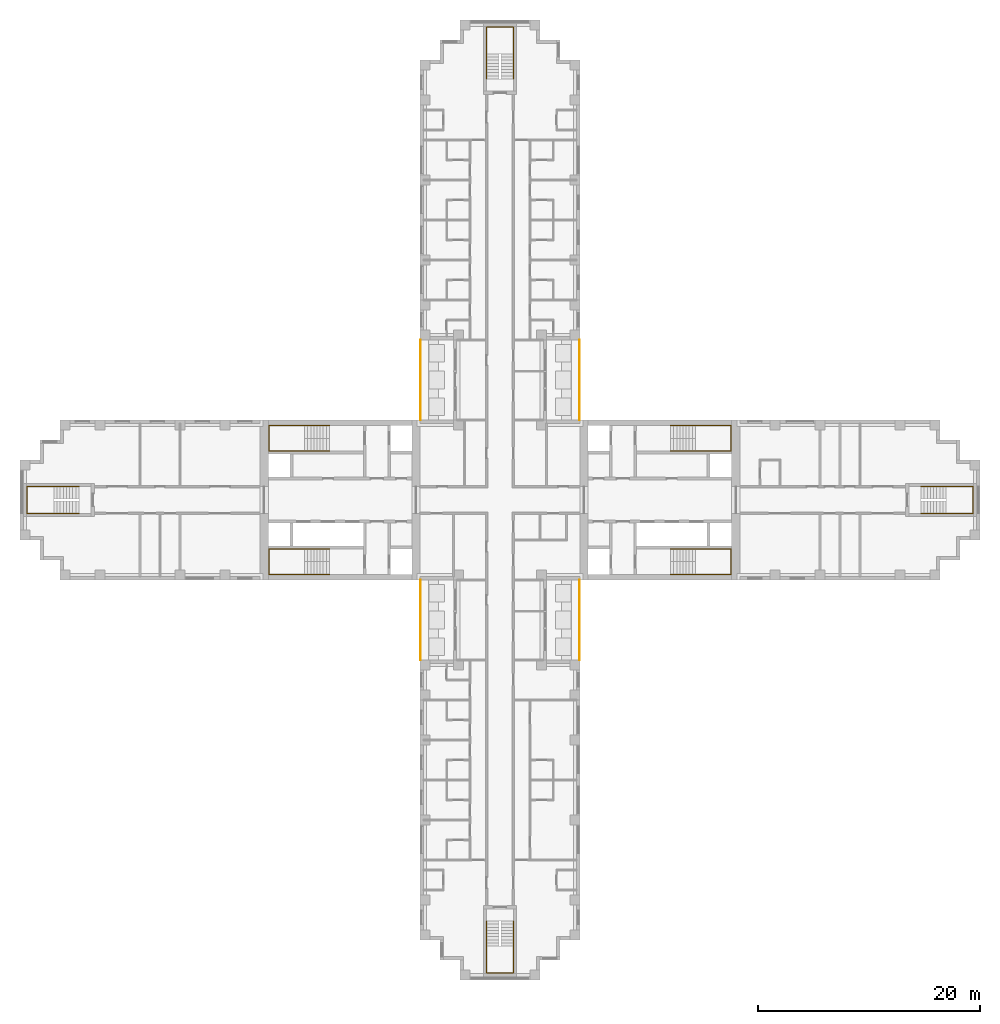
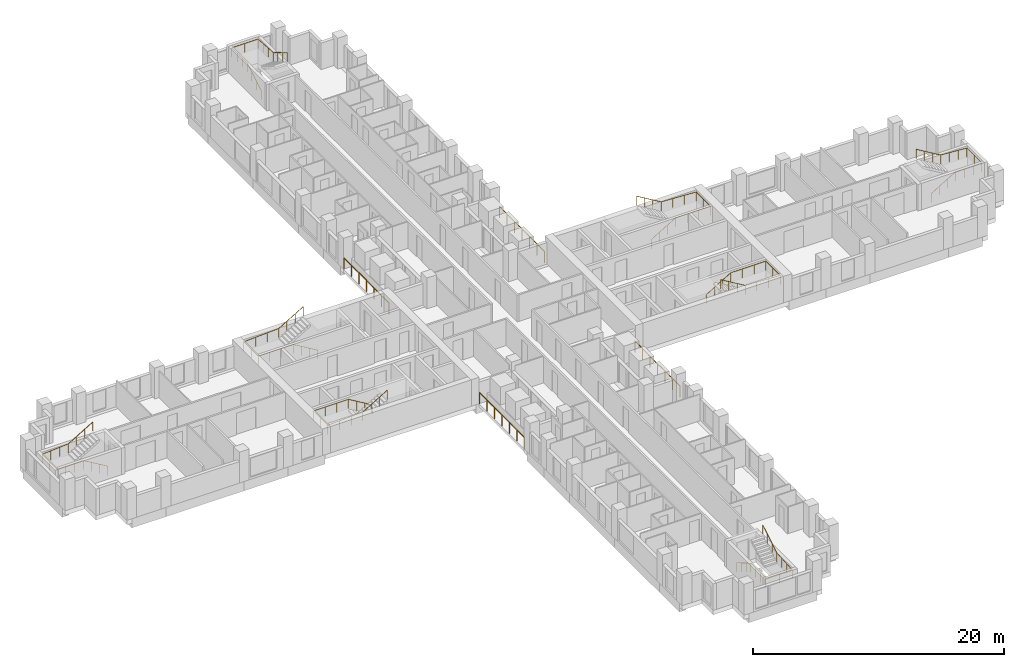
# One storey, part 14 of 15: 12 railings.
"""IFC4 building model written with IfcOpenShell, lengths in metres."""

from ifc_helpers import new_model, si_unit, direction, frame, origin, origin_2d, place, context, subcontext, project, spatial, circle, extrude, material, type_object, element, save


model = new_model("IFC4")

# Units and contexts
model_context = context("Model", 3, precision=1e-05, world=origin(), true_north=direction((0.0, 1.0)))
body_context = subcontext(model_context, "Body", "Model", "MODEL_VIEW")
ifc_project = project(units=[si_unit("LENGTHUNIT", "METRE"), si_unit("AREAUNIT", "SQUARE_METRE"), si_unit("VOLUMEUNIT", "CUBIC_METRE"), si_unit("PLANEANGLEUNIT", "RADIAN"), si_unit("MASSUNIT", "GRAM", prefix="KILO")], contexts=[model_context])

# Site, building, storey
site_placement = place(None, origin())
site = spatial("IfcSite", under=ifc_project, at=site_placement, CompositionType="ELEMENT")
building_placement = place(site_placement, origin())
building = spatial("IfcBuilding", under=site, at=building_placement, Name="Fustian Cross Tower", CompositionType="ELEMENT")
storey_placement = place(building_placement, frame((0.0, 0.0, 17.699951171875)))
storey = spatial("IfcBuildingStorey", under=building, at=storey_placement, Name="L04", CompositionType="ELEMENT", Elevation=17.699951171875)

# Railings
ifc_material_1 = material(Name="Stainless steel and glass", Category="steel")
railing_type_1 = type_object("IfcRailingType", Name="GR1 BALCONY GUARD 1100", PredefinedType="GUARDRAIL", material=ifc_material_1)
for number, where, name in (
    (1, (7.14990234375, 7.199951171875, 0.0), "Balcony guard"),
    (2, (-7.14990234375, 7.199951171875, 0.0), "Balcony guard"),
    (3, (7.14990234375, -14.39990234375, 0.0), "Balcony guard"),
    (4, (-7.14990234375, -14.39990234375, 0.0), "Balcony guard"),
):
    element("IfcRailing", number, at=place(storey_placement, frame(where)), inside=storey, type_object=railing_type_1, Name=name, PredefinedType="GUARDRAIL", context=body_context, shape_type="SweptSolid", body=[
        extrude(circle(Radius=0.02392578125, at=origin_2d()), frame((0.0, 0.0, 1.076171875), z_axis=(0.0, 1.0, 0.0), x_axis=(-1.0, 0.0, 0.0)), (0.0, 0.0, 1.0), 7.199951171875),
        extrude(circle(Radius=0.02099609375, at=origin_2d()), origin(), (0.0, 0.0, 1.0), 1.052001953125),
        extrude(circle(Radius=0.02099609375, at=origin_2d()), frame((0.0, 1.199951171875, 0.0)), (0.0, 0.0, 1.0), 1.052001953125),
        extrude(circle(Radius=0.02099609375, at=origin_2d()), frame((0.0, 2.39990234375, 0.0)), (0.0, 0.0, 1.0), 1.052001953125),
        extrude(circle(Radius=0.02099609375, at=origin_2d()), frame((0.0, 3.60009765625, 0.0)), (0.0, 0.0, 1.0), 1.052001953125),
        extrude(circle(Radius=0.02099609375, at=origin_2d()), frame((0.0, 4.800048828125, 0.0)), (0.0, 0.0, 1.0), 1.052001953125),
        extrude(circle(Radius=0.02099609375, at=origin_2d()), frame((0.0, 6.0, 0.0)), (0.0, 0.0, 1.0), 1.052001953125),
        extrude(circle(Radius=0.02099609375, at=origin_2d()), frame((0.0, 7.199951171875, 0.0)), (0.0, 0.0, 1.0), 1.052001953125),
    ])
ifc_material_2 = material(Name="Stainless steel", Category="steel")
railing_type_2 = type_object("IfcRailingType", Name="STAIR HANDRAIL", PredefinedType="HANDRAIL", material=ifc_material_2)
railing_1_placement = place(storey_placement, frame((15.35009765625, 4.39990234375, 0.166748046875)))
element("IfcRailing", 5, at=railing_1_placement, inside=storey, type_object=railing_type_2, Name="Stair ST1 handrail 1", PredefinedType="HANDRAIL", context=body_context, shape_type="SweptSolid", body=[
    extrude(circle(Radius=0.02490234375, at=origin_2d()), frame((0.0, 0.0, 0.875), z_axis=(0.859305625298, 0.0, 0.511462454469), x_axis=(0.0, 1.0, 0.0)), (0.0, 0.0, 1.0), 2.606689453125),
    extrude(circle(Radius=0.02490234375, at=origin_2d()), frame((2.239990234375, 0.0, 2.2080078125), z_axis=(1.0, 0.0, 0.0), x_axis=(0.0, 1.0, 0.0)), (0.0, 0.0, 1.0), 3.219970703125),
    extrude(circle(Radius=0.02490234375, at=origin_2d()), frame((5.4599609375, 0.0, 2.2080078125), z_axis=(0.0, 1.0, 0.0), x_axis=(-1.0, 0.0, 0.0)), (0.0, 0.0, 1.0), 2.300048828125),
    extrude(circle(Radius=0.02490234375, at=origin_2d()), frame((5.4599609375, 2.300048828125, 2.2080078125), z_axis=(-0.998661817807, 0.0, 0.051716280352), x_axis=(0.0, -1.0, 0.0)), (0.0, 0.0, 1.0), 3.224365234375),
    extrude(circle(Radius=0.02490234375, at=origin_2d()), frame((2.239990234375, 2.300048828125, 2.375), z_axis=(-0.859305625298, 0.0, 0.511462454469), x_axis=(0.0, -1.0, 0.0)), (0.0, 0.0, 1.0), 2.606689453125),
    extrude(circle(Radius=0.02001953125, at=origin_2d()), origin(), (0.0, 0.0, 1.0), 0.849853515625),
    extrude(circle(Radius=0.02001953125, at=origin_2d()), frame((0.74658203125, 0.0, 0.4443359375)), (0.0, 0.0, 1.0), 0.849853515625),
    extrude(circle(Radius=0.02001953125, at=origin_2d()), frame((1.493408203125, 0.0, 0.888916015625)), (0.0, 0.0, 1.0), 0.849853515625),
    extrude(circle(Radius=0.02001953125, at=origin_2d()), frame((2.239990234375, 0.0, 1.333251953125)), (0.0, 0.0, 1.0), 0.849853515625),
    extrude(circle(Radius=0.02001953125, at=origin_2d()), frame((3.313232421875, 0.0, 1.333251953125)), (0.0, 0.0, 1.0), 0.849853515625),
    extrude(circle(Radius=0.02001953125, at=origin_2d()), frame((4.38671875, 0.0, 1.333251953125)), (0.0, 0.0, 1.0), 0.849853515625),
    extrude(circle(Radius=0.02001953125, at=origin_2d()), frame((5.4599609375, 0.0, 1.333251953125)), (0.0, 0.0, 1.0), 0.849853515625),
    extrude(circle(Radius=0.02001953125, at=origin_2d()), frame((5.4599609375, 1.14990234375, 1.333251953125)), (0.0, 0.0, 1.0), 0.849853515625),
    extrude(circle(Radius=0.02001953125, at=origin_2d()), frame((5.4599609375, 2.300048828125, 1.333251953125)), (0.0, 0.0, 1.0), 0.849853515625),
    extrude(circle(Radius=0.02001953125, at=origin_2d()), frame((4.38671875, 2.300048828125, 1.388916015625)), (0.0, 0.0, 1.0), 0.849853515625),
    extrude(circle(Radius=0.02001953125, at=origin_2d()), frame((3.313232421875, 2.300048828125, 1.4443359375)), (0.0, 0.0, 1.0), 0.849853515625),
    extrude(circle(Radius=0.02001953125, at=origin_2d()), frame((2.239990234375, 2.300048828125, 1.5)), (0.0, 0.0, 1.0), 0.849853515625),
    extrude(circle(Radius=0.02001953125, at=origin_2d()), frame((1.493408203125, 2.300048828125, 1.9443359375)), (0.0, 0.0, 1.0), 0.849853515625),
    extrude(circle(Radius=0.02001953125, at=origin_2d()), frame((0.74658203125, 2.300048828125, 2.388916015625)), (0.0, 0.0, 1.0), 0.849853515625),
    extrude(circle(Radius=0.02001953125, at=origin_2d()), frame((0.0, 2.300048828125, 2.833251953125)), (0.0, 0.0, 1.0), 0.849853515625),
])
railing_2_placement = place(storey_placement, frame((15.35009765625, -4.39990234375, 0.166748046875)))
element("IfcRailing", 6, at=railing_2_placement, inside=storey, type_object=railing_type_2, Name="Stair ST2 handrail 1", PredefinedType="HANDRAIL", context=body_context, shape_type="SweptSolid", body=[
    extrude(circle(Radius=0.02490234375, at=origin_2d()), frame((0.0, 0.0, 0.875), z_axis=(0.859305625298, 0.0, 0.511462454469), x_axis=(0.0, 1.0, 0.0)), (0.0, 0.0, 1.0), 2.606689453125),
    extrude(circle(Radius=0.02490234375, at=origin_2d()), frame((2.239990234375, 0.0, 2.2080078125), z_axis=(1.0, 0.0, 0.0), x_axis=(0.0, 1.0, 0.0)), (0.0, 0.0, 1.0), 3.219970703125),
    extrude(circle(Radius=0.02490234375, at=origin_2d()), frame((5.4599609375, 0.0, 2.2080078125), z_axis=(0.0, -1.0, 0.0), x_axis=(1.0, 0.0, 0.0)), (0.0, 0.0, 1.0), 2.300048828125),
    extrude(circle(Radius=0.02490234375, at=origin_2d()), frame((5.4599609375, -2.300048828125, 2.2080078125), z_axis=(-0.998661817807, 0.0, 0.051716280352), x_axis=(0.0, -1.0, 0.0)), (0.0, 0.0, 1.0), 3.224365234375),
    extrude(circle(Radius=0.02490234375, at=origin_2d()), frame((2.239990234375, -2.300048828125, 2.375), z_axis=(-0.859305625298, 0.0, 0.511462454469), x_axis=(0.0, -1.0, 0.0)), (0.0, 0.0, 1.0), 2.606689453125),
    extrude(circle(Radius=0.02001953125, at=origin_2d()), origin(), (0.0, 0.0, 1.0), 0.849853515625),
    extrude(circle(Radius=0.02001953125, at=origin_2d()), frame((0.74658203125, 0.0, 0.4443359375)), (0.0, 0.0, 1.0), 0.849853515625),
    extrude(circle(Radius=0.02001953125, at=origin_2d()), frame((1.493408203125, 0.0, 0.888916015625)), (0.0, 0.0, 1.0), 0.849853515625),
    extrude(circle(Radius=0.02001953125, at=origin_2d()), frame((2.239990234375, 0.0, 1.333251953125)), (0.0, 0.0, 1.0), 0.849853515625),
    extrude(circle(Radius=0.02001953125, at=origin_2d()), frame((3.313232421875, 0.0, 1.333251953125)), (0.0, 0.0, 1.0), 0.849853515625),
    extrude(circle(Radius=0.02001953125, at=origin_2d()), frame((4.38671875, 0.0, 1.333251953125)), (0.0, 0.0, 1.0), 0.849853515625),
    extrude(circle(Radius=0.02001953125, at=origin_2d()), frame((5.4599609375, 0.0, 1.333251953125)), (0.0, 0.0, 1.0), 0.849853515625),
    extrude(circle(Radius=0.02001953125, at=origin_2d()), frame((5.4599609375, -1.14990234375, 1.333251953125)), (0.0, 0.0, 1.0), 0.849853515625),
    extrude(circle(Radius=0.02001953125, at=origin_2d()), frame((5.4599609375, -2.300048828125, 1.333251953125)), (0.0, 0.0, 1.0), 0.849853515625),
    extrude(circle(Radius=0.02001953125, at=origin_2d()), frame((4.38671875, -2.300048828125, 1.388916015625)), (0.0, 0.0, 1.0), 0.849853515625),
    extrude(circle(Radius=0.02001953125, at=origin_2d()), frame((3.313232421875, -2.300048828125, 1.4443359375)), (0.0, 0.0, 1.0), 0.849853515625),
    extrude(circle(Radius=0.02001953125, at=origin_2d()), frame((2.239990234375, -2.300048828125, 1.5)), (0.0, 0.0, 1.0), 0.849853515625),
    extrude(circle(Radius=0.02001953125, at=origin_2d()), frame((1.493408203125, -2.300048828125, 1.9443359375)), (0.0, 0.0, 1.0), 0.849853515625),
    extrude(circle(Radius=0.02001953125, at=origin_2d()), frame((0.74658203125, -2.300048828125, 2.388916015625)), (0.0, 0.0, 1.0), 0.849853515625),
    extrude(circle(Radius=0.02001953125, at=origin_2d()), frame((0.0, -2.300048828125, 2.833251953125)), (0.0, 0.0, 1.0), 0.849853515625),
])
railing_3_placement = place(storey_placement, frame((-15.35009765625, 4.39990234375, 0.166748046875)))
element("IfcRailing", 7, at=railing_3_placement, inside=storey, type_object=railing_type_2, Name="Stair ST3 handrail 1", PredefinedType="HANDRAIL", context=body_context, shape_type="SweptSolid", body=[
    extrude(circle(Radius=0.02490234375, at=origin_2d()), frame((0.0, 0.0, 0.875), z_axis=(-0.859305625298, 0.0, 0.511462454469), x_axis=(0.0, -1.0, 0.0)), (0.0, 0.0, 1.0), 2.606689453125),
    extrude(circle(Radius=0.02490234375, at=origin_2d()), frame((-2.239990234375, 0.0, 2.2080078125), z_axis=(-1.0, 0.0, 0.0), x_axis=(0.0, -1.0, 0.0)), (0.0, 0.0, 1.0), 3.219970703125),
    extrude(circle(Radius=0.02490234375, at=origin_2d()), frame((-5.4599609375, 0.0, 2.2080078125), z_axis=(0.0, 1.0, 0.0), x_axis=(-1.0, 0.0, 0.0)), (0.0, 0.0, 1.0), 2.300048828125),
    extrude(circle(Radius=0.02490234375, at=origin_2d()), frame((-5.4599609375, 2.300048828125, 2.2080078125), z_axis=(0.998661817807, 0.0, 0.051716280352), x_axis=(0.0, 1.0, 0.0)), (0.0, 0.0, 1.0), 3.224365234375),
    extrude(circle(Radius=0.02490234375, at=origin_2d()), frame((-2.239990234375, 2.300048828125, 2.375), z_axis=(0.859305625298, 0.0, 0.511462454469), x_axis=(0.0, 1.0, 0.0)), (0.0, 0.0, 1.0), 2.606689453125),
    extrude(circle(Radius=0.02001953125, at=origin_2d()), origin(), (0.0, 0.0, 1.0), 0.849853515625),
    extrude(circle(Radius=0.02001953125, at=origin_2d()), frame((-0.74658203125, 0.0, 0.4443359375)), (0.0, 0.0, 1.0), 0.849853515625),
    extrude(circle(Radius=0.02001953125, at=origin_2d()), frame((-1.493408203125, 0.0, 0.888916015625)), (0.0, 0.0, 1.0), 0.849853515625),
    extrude(circle(Radius=0.02001953125, at=origin_2d()), frame((-2.239990234375, 0.0, 1.333251953125)), (0.0, 0.0, 1.0), 0.849853515625),
    extrude(circle(Radius=0.02001953125, at=origin_2d()), frame((-3.313232421875, 0.0, 1.333251953125)), (0.0, 0.0, 1.0), 0.849853515625),
    extrude(circle(Radius=0.02001953125, at=origin_2d()), frame((-4.38671875, 0.0, 1.333251953125)), (0.0, 0.0, 1.0), 0.849853515625),
    extrude(circle(Radius=0.02001953125, at=origin_2d()), frame((-5.4599609375, 0.0, 1.333251953125)), (0.0, 0.0, 1.0), 0.849853515625),
    extrude(circle(Radius=0.02001953125, at=origin_2d()), frame((-5.4599609375, 1.14990234375, 1.333251953125)), (0.0, 0.0, 1.0), 0.849853515625),
    extrude(circle(Radius=0.02001953125, at=origin_2d()), frame((-5.4599609375, 2.300048828125, 1.333251953125)), (0.0, 0.0, 1.0), 0.849853515625),
    extrude(circle(Radius=0.02001953125, at=origin_2d()), frame((-4.38671875, 2.300048828125, 1.388916015625)), (0.0, 0.0, 1.0), 0.849853515625),
    extrude(circle(Radius=0.02001953125, at=origin_2d()), frame((-3.313232421875, 2.300048828125, 1.4443359375)), (0.0, 0.0, 1.0), 0.849853515625),
    extrude(circle(Radius=0.02001953125, at=origin_2d()), frame((-2.239990234375, 2.300048828125, 1.5)), (0.0, 0.0, 1.0), 0.849853515625),
    extrude(circle(Radius=0.02001953125, at=origin_2d()), frame((-1.493408203125, 2.300048828125, 1.9443359375)), (0.0, 0.0, 1.0), 0.849853515625),
    extrude(circle(Radius=0.02001953125, at=origin_2d()), frame((-0.74658203125, 2.300048828125, 2.388916015625)), (0.0, 0.0, 1.0), 0.849853515625),
    extrude(circle(Radius=0.02001953125, at=origin_2d()), frame((0.0, 2.300048828125, 2.833251953125)), (0.0, 0.0, 1.0), 0.849853515625),
])
railing_4_placement = place(storey_placement, frame((-15.35009765625, -4.39990234375, 0.166748046875)))
element("IfcRailing", 8, at=railing_4_placement, inside=storey, type_object=railing_type_2, Name="Stair ST4 handrail 1", PredefinedType="HANDRAIL", context=body_context, shape_type="SweptSolid", body=[
    extrude(circle(Radius=0.02490234375, at=origin_2d()), frame((0.0, 0.0, 0.875), z_axis=(-0.859305625298, 0.0, 0.511462454469), x_axis=(0.0, -1.0, 0.0)), (0.0, 0.0, 1.0), 2.606689453125),
    extrude(circle(Radius=0.02490234375, at=origin_2d()), frame((-2.239990234375, 0.0, 2.2080078125), z_axis=(-1.0, 0.0, 0.0), x_axis=(0.0, -1.0, 0.0)), (0.0, 0.0, 1.0), 3.219970703125),
    extrude(circle(Radius=0.02490234375, at=origin_2d()), frame((-5.4599609375, 0.0, 2.2080078125), z_axis=(0.0, -1.0, 0.0), x_axis=(1.0, 0.0, 0.0)), (0.0, 0.0, 1.0), 2.300048828125),
    extrude(circle(Radius=0.02490234375, at=origin_2d()), frame((-5.4599609375, -2.300048828125, 2.2080078125), z_axis=(0.998661817807, 0.0, 0.051716280352), x_axis=(0.0, 1.0, 0.0)), (0.0, 0.0, 1.0), 3.224365234375),
    extrude(circle(Radius=0.02490234375, at=origin_2d()), frame((-2.239990234375, -2.300048828125, 2.375), z_axis=(0.859305625298, 0.0, 0.511462454469), x_axis=(0.0, 1.0, 0.0)), (0.0, 0.0, 1.0), 2.606689453125),
    extrude(circle(Radius=0.02001953125, at=origin_2d()), origin(), (0.0, 0.0, 1.0), 0.849853515625),
    extrude(circle(Radius=0.02001953125, at=origin_2d()), frame((-0.74658203125, 0.0, 0.4443359375)), (0.0, 0.0, 1.0), 0.849853515625),
    extrude(circle(Radius=0.02001953125, at=origin_2d()), frame((-1.493408203125, 0.0, 0.888916015625)), (0.0, 0.0, 1.0), 0.849853515625),
    extrude(circle(Radius=0.02001953125, at=origin_2d()), frame((-2.239990234375, 0.0, 1.333251953125)), (0.0, 0.0, 1.0), 0.849853515625),
    extrude(circle(Radius=0.02001953125, at=origin_2d()), frame((-3.313232421875, 0.0, 1.333251953125)), (0.0, 0.0, 1.0), 0.849853515625),
    extrude(circle(Radius=0.02001953125, at=origin_2d()), frame((-4.38671875, 0.0, 1.333251953125)), (0.0, 0.0, 1.0), 0.849853515625),
    extrude(circle(Radius=0.02001953125, at=origin_2d()), frame((-5.4599609375, 0.0, 1.333251953125)), (0.0, 0.0, 1.0), 0.849853515625),
    extrude(circle(Radius=0.02001953125, at=origin_2d()), frame((-5.4599609375, -1.14990234375, 1.333251953125)), (0.0, 0.0, 1.0), 0.849853515625),
    extrude(circle(Radius=0.02001953125, at=origin_2d()), frame((-5.4599609375, -2.300048828125, 1.333251953125)), (0.0, 0.0, 1.0), 0.849853515625),
    extrude(circle(Radius=0.02001953125, at=origin_2d()), frame((-4.38671875, -2.300048828125, 1.388916015625)), (0.0, 0.0, 1.0), 0.849853515625),
    extrude(circle(Radius=0.02001953125, at=origin_2d()), frame((-3.313232421875, -2.300048828125, 1.4443359375)), (0.0, 0.0, 1.0), 0.849853515625),
    extrude(circle(Radius=0.02001953125, at=origin_2d()), frame((-2.239990234375, -2.300048828125, 1.5)), (0.0, 0.0, 1.0), 0.849853515625),
    extrude(circle(Radius=0.02001953125, at=origin_2d()), frame((-1.493408203125, -2.300048828125, 1.9443359375)), (0.0, 0.0, 1.0), 0.849853515625),
    extrude(circle(Radius=0.02001953125, at=origin_2d()), frame((-0.74658203125, -2.300048828125, 2.388916015625)), (0.0, 0.0, 1.0), 0.849853515625),
    extrude(circle(Radius=0.02001953125, at=origin_2d()), frame((0.0, -2.300048828125, 2.833251953125)), (0.0, 0.0, 1.0), 0.849853515625),
])
railing_5_placement = place(storey_placement, frame((-1.199951171875, 37.89990234375, 0.166748046875)))
element("IfcRailing", 9, at=railing_5_placement, inside=storey, type_object=railing_type_2, Name="Stair ST5 handrail 1", PredefinedType="HANDRAIL", context=body_context, shape_type="SweptSolid", body=[
    extrude(circle(Radius=0.02490234375, at=origin_2d()), frame((0.0, 0.0, 0.875), z_axis=(0.0, 0.859305625298, 0.511462454469), x_axis=(-1.0, 0.0, 0.0)), (0.0, 0.0, 1.0), 2.606689453125),
    extrude(circle(Radius=0.02490234375, at=origin_2d()), frame((0.0, 2.239990234375, 2.2080078125), z_axis=(0.0, 1.0, 0.0), x_axis=(-1.0, 0.0, 0.0)), (0.0, 0.0, 1.0), 2.420166015625),
    extrude(circle(Radius=0.02490234375, at=origin_2d()), frame((0.0, 4.66015625, 2.2080078125), z_axis=(1.0, 0.0, 0.0), x_axis=(0.0, 1.0, 0.0)), (0.0, 0.0, 1.0), 2.39990234375),
    extrude(circle(Radius=0.02490234375, at=origin_2d()), frame((2.39990234375, 4.66015625, 2.2080078125), z_axis=(0.0, -0.997634852044, 0.068736467663), x_axis=(1.0, 0.0, 0.0)), (0.0, 0.0, 1.0), 2.426025390625),
    extrude(circle(Radius=0.02490234375, at=origin_2d()), frame((2.39990234375, 2.239990234375, 2.375), z_axis=(0.0, -0.859305625298, 0.511462454469), x_axis=(1.0, 0.0, 0.0)), (0.0, 0.0, 1.0), 2.606689453125),
    extrude(circle(Radius=0.02001953125, at=origin_2d()), origin(), (0.0, 0.0, 1.0), 0.849853515625),
    extrude(circle(Radius=0.02001953125, at=origin_2d()), frame((0.0, 0.74658203125, 0.4443359375)), (0.0, 0.0, 1.0), 0.849853515625),
    extrude(circle(Radius=0.02001953125, at=origin_2d()), frame((0.0, 1.493408203125, 0.888916015625)), (0.0, 0.0, 1.0), 0.849853515625),
    extrude(circle(Radius=0.02001953125, at=origin_2d()), frame((0.0, 2.239990234375, 1.333251953125)), (0.0, 0.0, 1.0), 0.849853515625),
    extrude(circle(Radius=0.02001953125, at=origin_2d()), frame((0.0, 3.046630859375, 1.333251953125)), (0.0, 0.0, 1.0), 0.849853515625),
    extrude(circle(Radius=0.02001953125, at=origin_2d()), frame((0.0, 3.853515625, 1.333251953125)), (0.0, 0.0, 1.0), 0.849853515625),
    extrude(circle(Radius=0.02001953125, at=origin_2d()), frame((0.0, 4.66015625, 1.333251953125)), (0.0, 0.0, 1.0), 0.849853515625),
    extrude(circle(Radius=0.02001953125, at=origin_2d()), frame((1.199951171875, 4.66015625, 1.333251953125)), (0.0, 0.0, 1.0), 0.849853515625),
    extrude(circle(Radius=0.02001953125, at=origin_2d()), frame((2.39990234375, 4.66015625, 1.333251953125)), (0.0, 0.0, 1.0), 0.849853515625),
    extrude(circle(Radius=0.02001953125, at=origin_2d()), frame((2.39990234375, 3.853515625, 1.388916015625)), (0.0, 0.0, 1.0), 0.849853515625),
    extrude(circle(Radius=0.02001953125, at=origin_2d()), frame((2.39990234375, 3.046630859375, 1.4443359375)), (0.0, 0.0, 1.0), 0.849853515625),
    extrude(circle(Radius=0.02001953125, at=origin_2d()), frame((2.39990234375, 2.239990234375, 1.5)), (0.0, 0.0, 1.0), 0.849853515625),
    extrude(circle(Radius=0.02001953125, at=origin_2d()), frame((2.39990234375, 1.493408203125, 1.9443359375)), (0.0, 0.0, 1.0), 0.849853515625),
    extrude(circle(Radius=0.02001953125, at=origin_2d()), frame((2.39990234375, 0.74658203125, 2.388916015625)), (0.0, 0.0, 1.0), 0.849853515625),
    extrude(circle(Radius=0.02001953125, at=origin_2d()), frame((2.39990234375, 0.0, 2.833251953125)), (0.0, 0.0, 1.0), 0.849853515625),
])
railing_6_placement = place(storey_placement, frame((-1.199951171875, -37.89990234375, 0.166748046875)))
element("IfcRailing", 10, at=railing_6_placement, inside=storey, type_object=railing_type_2, Name="Stair ST6 handrail 1", PredefinedType="HANDRAIL", context=body_context, shape_type="SweptSolid", body=[
    extrude(circle(Radius=0.02490234375, at=origin_2d()), frame((0.0, 0.0, 0.875), z_axis=(0.0, -0.859305625298, 0.511462454469), x_axis=(1.0, 0.0, 0.0)), (0.0, 0.0, 1.0), 2.606689453125),
    extrude(circle(Radius=0.02490234375, at=origin_2d()), frame((0.0, -2.239990234375, 2.2080078125), z_axis=(0.0, -1.0, 0.0), x_axis=(1.0, 0.0, 0.0)), (0.0, 0.0, 1.0), 2.420166015625),
    extrude(circle(Radius=0.02490234375, at=origin_2d()), frame((0.0, -4.66015625, 2.2080078125), z_axis=(1.0, 0.0, 0.0), x_axis=(0.0, 1.0, 0.0)), (0.0, 0.0, 1.0), 2.39990234375),
    extrude(circle(Radius=0.02490234375, at=origin_2d()), frame((2.39990234375, -4.66015625, 2.2080078125), z_axis=(0.0, 0.997634852044, 0.068736467663), x_axis=(-1.0, 0.0, 0.0)), (0.0, 0.0, 1.0), 2.426025390625),
    extrude(circle(Radius=0.02490234375, at=origin_2d()), frame((2.39990234375, -2.239990234375, 2.375), z_axis=(0.0, 0.859305625298, 0.511462454469), x_axis=(-1.0, 0.0, 0.0)), (0.0, 0.0, 1.0), 2.606689453125),
    extrude(circle(Radius=0.02001953125, at=origin_2d()), origin(), (0.0, 0.0, 1.0), 0.849853515625),
    extrude(circle(Radius=0.02001953125, at=origin_2d()), frame((0.0, -0.74658203125, 0.4443359375)), (0.0, 0.0, 1.0), 0.849853515625),
    extrude(circle(Radius=0.02001953125, at=origin_2d()), frame((0.0, -1.493408203125, 0.888916015625)), (0.0, 0.0, 1.0), 0.849853515625),
    extrude(circle(Radius=0.02001953125, at=origin_2d()), frame((0.0, -2.239990234375, 1.333251953125)), (0.0, 0.0, 1.0), 0.849853515625),
    extrude(circle(Radius=0.02001953125, at=origin_2d()), frame((0.0, -3.046630859375, 1.333251953125)), (0.0, 0.0, 1.0), 0.849853515625),
    extrude(circle(Radius=0.02001953125, at=origin_2d()), frame((0.0, -3.853515625, 1.333251953125)), (0.0, 0.0, 1.0), 0.849853515625),
    extrude(circle(Radius=0.02001953125, at=origin_2d()), frame((0.0, -4.66015625, 1.333251953125)), (0.0, 0.0, 1.0), 0.849853515625),
    extrude(circle(Radius=0.02001953125, at=origin_2d()), frame((1.199951171875, -4.66015625, 1.333251953125)), (0.0, 0.0, 1.0), 0.849853515625),
    extrude(circle(Radius=0.02001953125, at=origin_2d()), frame((2.39990234375, -4.66015625, 1.333251953125)), (0.0, 0.0, 1.0), 0.849853515625),
    extrude(circle(Radius=0.02001953125, at=origin_2d()), frame((2.39990234375, -3.853515625, 1.388916015625)), (0.0, 0.0, 1.0), 0.849853515625),
    extrude(circle(Radius=0.02001953125, at=origin_2d()), frame((2.39990234375, -3.046630859375, 1.4443359375)), (0.0, 0.0, 1.0), 0.849853515625),
    extrude(circle(Radius=0.02001953125, at=origin_2d()), frame((2.39990234375, -2.239990234375, 1.5)), (0.0, 0.0, 1.0), 0.849853515625),
    extrude(circle(Radius=0.02001953125, at=origin_2d()), frame((2.39990234375, -1.493408203125, 1.9443359375)), (0.0, 0.0, 1.0), 0.849853515625),
    extrude(circle(Radius=0.02001953125, at=origin_2d()), frame((2.39990234375, -0.74658203125, 2.388916015625)), (0.0, 0.0, 1.0), 0.849853515625),
    extrude(circle(Radius=0.02001953125, at=origin_2d()), frame((2.39990234375, 0.0, 2.833251953125)), (0.0, 0.0, 1.0), 0.849853515625),
])
railing_7_placement = place(storey_placement, frame((37.89990234375, -1.199951171875, 0.166748046875)))
element("IfcRailing", 11, at=railing_7_placement, inside=storey, type_object=railing_type_2, Name="Stair ST8 handrail 1", PredefinedType="HANDRAIL", context=body_context, shape_type="SweptSolid", body=[
    extrude(circle(Radius=0.02490234375, at=origin_2d()), frame((0.0, 0.0, 0.875), z_axis=(0.859305625298, 0.0, 0.511462454469), x_axis=(0.0, 1.0, 0.0)), (0.0, 0.0, 1.0), 2.606689453125),
    extrude(circle(Radius=0.02490234375, at=origin_2d()), frame((2.239990234375, 0.0, 2.2080078125), z_axis=(1.0, 0.0, 0.0), x_axis=(0.0, 1.0, 0.0)), (0.0, 0.0, 1.0), 2.420166015625),
    extrude(circle(Radius=0.02490234375, at=origin_2d()), frame((4.66015625, 0.0, 2.2080078125), z_axis=(0.0, 1.0, 0.0), x_axis=(-1.0, 0.0, 0.0)), (0.0, 0.0, 1.0), 2.39990234375),
    extrude(circle(Radius=0.02490234375, at=origin_2d()), frame((4.66015625, 2.39990234375, 2.2080078125), z_axis=(-0.997634852044, 0.0, 0.068736467663), x_axis=(0.0, -1.0, 0.0)), (0.0, 0.0, 1.0), 2.426025390625),
    extrude(circle(Radius=0.02490234375, at=origin_2d()), frame((2.239990234375, 2.39990234375, 2.375), z_axis=(-0.859305625298, 0.0, 0.511462454469), x_axis=(0.0, -1.0, 0.0)), (0.0, 0.0, 1.0), 2.606689453125),
    extrude(circle(Radius=0.02001953125, at=origin_2d()), origin(), (0.0, 0.0, 1.0), 0.849853515625),
    extrude(circle(Radius=0.02001953125, at=origin_2d()), frame((0.74658203125, 0.0, 0.4443359375)), (0.0, 0.0, 1.0), 0.849853515625),
    extrude(circle(Radius=0.02001953125, at=origin_2d()), frame((1.493408203125, 0.0, 0.888916015625)), (0.0, 0.0, 1.0), 0.849853515625),
    extrude(circle(Radius=0.02001953125, at=origin_2d()), frame((2.239990234375, 0.0, 1.333251953125)), (0.0, 0.0, 1.0), 0.849853515625),
    extrude(circle(Radius=0.02001953125, at=origin_2d()), frame((3.046630859375, 0.0, 1.333251953125)), (0.0, 0.0, 1.0), 0.849853515625),
    extrude(circle(Radius=0.02001953125, at=origin_2d()), frame((3.853515625, 0.0, 1.333251953125)), (0.0, 0.0, 1.0), 0.849853515625),
    extrude(circle(Radius=0.02001953125, at=origin_2d()), frame((4.66015625, 0.0, 1.333251953125)), (0.0, 0.0, 1.0), 0.849853515625),
    extrude(circle(Radius=0.02001953125, at=origin_2d()), frame((4.66015625, 1.199951171875, 1.333251953125)), (0.0, 0.0, 1.0), 0.849853515625),
    extrude(circle(Radius=0.02001953125, at=origin_2d()), frame((4.66015625, 2.39990234375, 1.333251953125)), (0.0, 0.0, 1.0), 0.849853515625),
    extrude(circle(Radius=0.02001953125, at=origin_2d()), frame((3.853515625, 2.39990234375, 1.388916015625)), (0.0, 0.0, 1.0), 0.849853515625),
    extrude(circle(Radius=0.02001953125, at=origin_2d()), frame((3.046630859375, 2.39990234375, 1.4443359375)), (0.0, 0.0, 1.0), 0.849853515625),
    extrude(circle(Radius=0.02001953125, at=origin_2d()), frame((2.239990234375, 2.39990234375, 1.5)), (0.0, 0.0, 1.0), 0.849853515625),
    extrude(circle(Radius=0.02001953125, at=origin_2d()), frame((1.493408203125, 2.39990234375, 1.9443359375)), (0.0, 0.0, 1.0), 0.849853515625),
    extrude(circle(Radius=0.02001953125, at=origin_2d()), frame((0.74658203125, 2.39990234375, 2.388916015625)), (0.0, 0.0, 1.0), 0.849853515625),
    extrude(circle(Radius=0.02001953125, at=origin_2d()), frame((0.0, 2.39990234375, 2.833251953125)), (0.0, 0.0, 1.0), 0.849853515625),
])
railing_8_placement = place(storey_placement, frame((-37.89990234375, -1.199951171875, 0.166748046875)))
element("IfcRailing", 12, at=railing_8_placement, inside=storey, type_object=railing_type_2, Name="Stair ST9 handrail 1", PredefinedType="HANDRAIL", context=body_context, shape_type="SweptSolid", body=[
    extrude(circle(Radius=0.02490234375, at=origin_2d()), frame((0.0, 0.0, 0.875), z_axis=(-0.859305625298, 0.0, 0.511462454469), x_axis=(0.0, -1.0, 0.0)), (0.0, 0.0, 1.0), 2.606689453125),
    extrude(circle(Radius=0.02490234375, at=origin_2d()), frame((-2.239990234375, 0.0, 2.2080078125), z_axis=(-1.0, 0.0, 0.0), x_axis=(0.0, -1.0, 0.0)), (0.0, 0.0, 1.0), 2.420166015625),
    extrude(circle(Radius=0.02490234375, at=origin_2d()), frame((-4.66015625, 0.0, 2.2080078125), z_axis=(0.0, 1.0, 0.0), x_axis=(-1.0, 0.0, 0.0)), (0.0, 0.0, 1.0), 2.39990234375),
    extrude(circle(Radius=0.02490234375, at=origin_2d()), frame((-4.66015625, 2.39990234375, 2.2080078125), z_axis=(0.997634852044, 0.0, 0.068736467663), x_axis=(0.0, 1.0, 0.0)), (0.0, 0.0, 1.0), 2.426025390625),
    extrude(circle(Radius=0.02490234375, at=origin_2d()), frame((-2.239990234375, 2.39990234375, 2.375), z_axis=(0.859305625298, 0.0, 0.511462454469), x_axis=(0.0, 1.0, 0.0)), (0.0, 0.0, 1.0), 2.606689453125),
    extrude(circle(Radius=0.02001953125, at=origin_2d()), origin(), (0.0, 0.0, 1.0), 0.849853515625),
    extrude(circle(Radius=0.02001953125, at=origin_2d()), frame((-0.74658203125, 0.0, 0.4443359375)), (0.0, 0.0, 1.0), 0.849853515625),
    extrude(circle(Radius=0.02001953125, at=origin_2d()), frame((-1.493408203125, 0.0, 0.888916015625)), (0.0, 0.0, 1.0), 0.849853515625),
    extrude(circle(Radius=0.02001953125, at=origin_2d()), frame((-2.239990234375, 0.0, 1.333251953125)), (0.0, 0.0, 1.0), 0.849853515625),
    extrude(circle(Radius=0.02001953125, at=origin_2d()), frame((-3.046630859375, 0.0, 1.333251953125)), (0.0, 0.0, 1.0), 0.849853515625),
    extrude(circle(Radius=0.02001953125, at=origin_2d()), frame((-3.853515625, 0.0, 1.333251953125)), (0.0, 0.0, 1.0), 0.849853515625),
    extrude(circle(Radius=0.02001953125, at=origin_2d()), frame((-4.66015625, 0.0, 1.333251953125)), (0.0, 0.0, 1.0), 0.849853515625),
    extrude(circle(Radius=0.02001953125, at=origin_2d()), frame((-4.66015625, 1.199951171875, 1.333251953125)), (0.0, 0.0, 1.0), 0.849853515625),
    extrude(circle(Radius=0.02001953125, at=origin_2d()), frame((-4.66015625, 2.39990234375, 1.333251953125)), (0.0, 0.0, 1.0), 0.849853515625),
    extrude(circle(Radius=0.02001953125, at=origin_2d()), frame((-3.853515625, 2.39990234375, 1.388916015625)), (0.0, 0.0, 1.0), 0.849853515625),
    extrude(circle(Radius=0.02001953125, at=origin_2d()), frame((-3.046630859375, 2.39990234375, 1.4443359375)), (0.0, 0.0, 1.0), 0.849853515625),
    extrude(circle(Radius=0.02001953125, at=origin_2d()), frame((-2.239990234375, 2.39990234375, 1.5)), (0.0, 0.0, 1.0), 0.849853515625),
    extrude(circle(Radius=0.02001953125, at=origin_2d()), frame((-1.493408203125, 2.39990234375, 1.9443359375)), (0.0, 0.0, 1.0), 0.849853515625),
    extrude(circle(Radius=0.02001953125, at=origin_2d()), frame((-0.74658203125, 2.39990234375, 2.388916015625)), (0.0, 0.0, 1.0), 0.849853515625),
    extrude(circle(Radius=0.02001953125, at=origin_2d()), frame((0.0, 2.39990234375, 2.833251953125)), (0.0, 0.0, 1.0), 0.849853515625),
])

save(model, "model.ifc")
